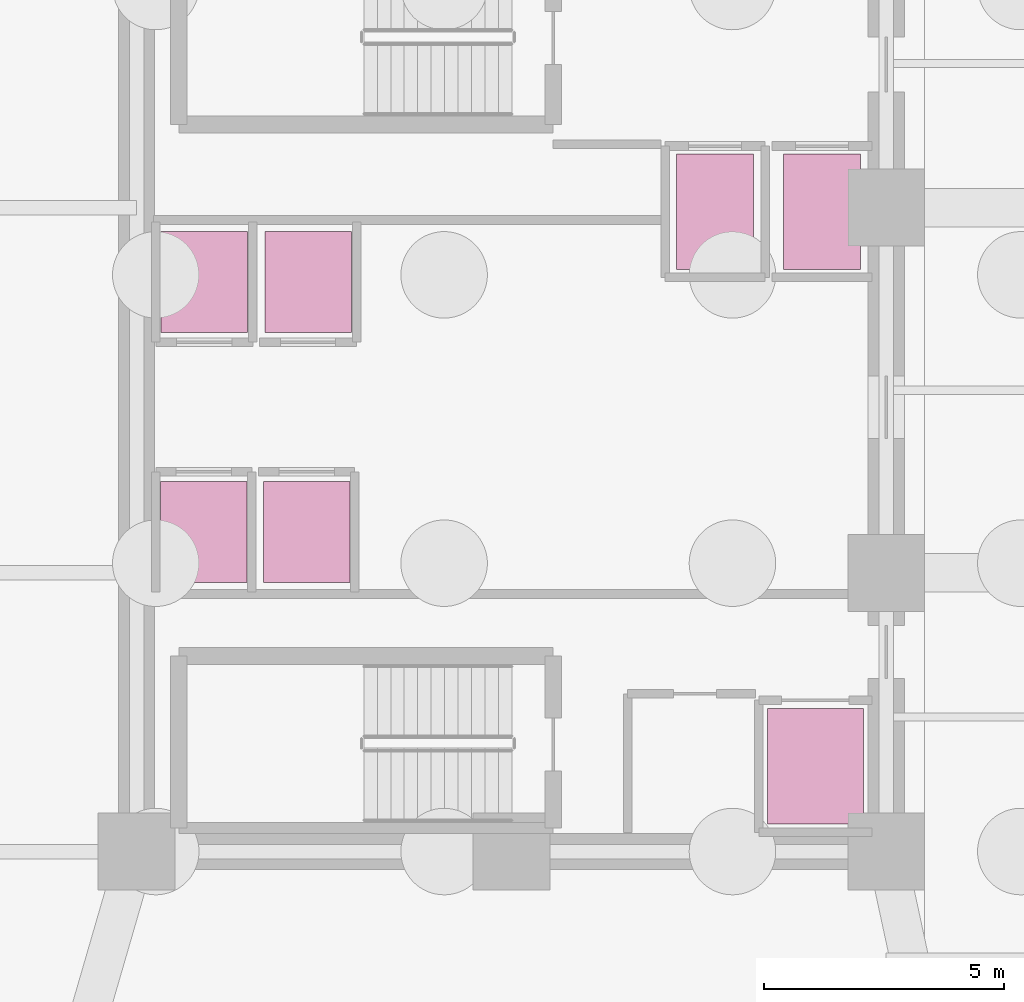
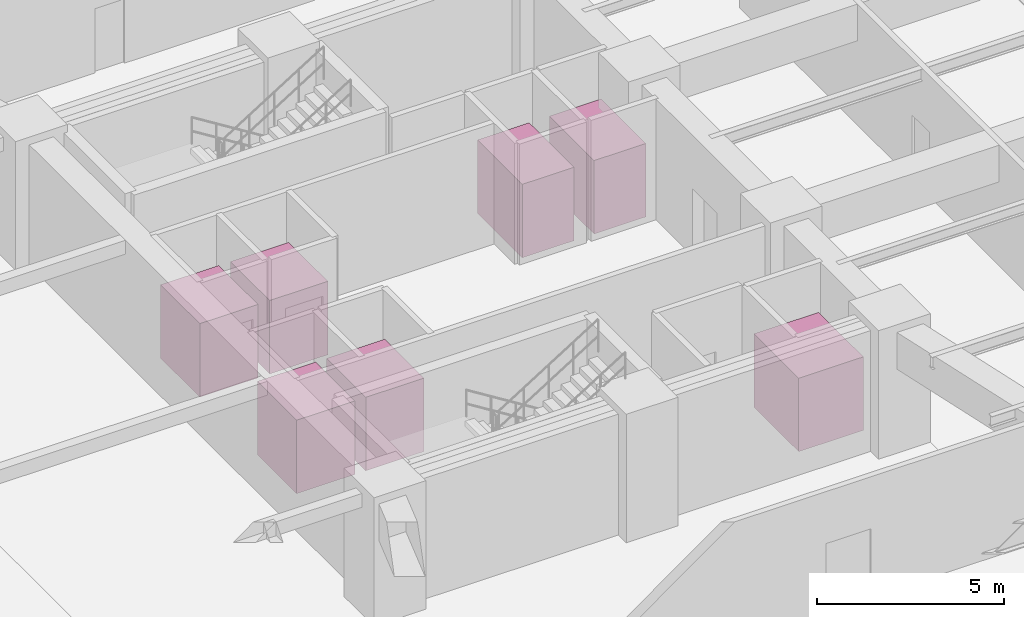
# One storey, part 8 of 8: 7 transport elements.
"""IFC4 building model written with IfcOpenShell, lengths in metres."""

import ifcopenshell
import ifcopenshell.guid

model = None  # the IFC model being written
_history = None  # IfcOwnerHistory: only IFC2X3 demands one
_inside = {}  # id of a spatial element -> (the spatial element, [elements in it])
_under = {}  # id of a project, library or spatial element -> (it, [spatial elements below it])
_declared = {}  # id of a project -> (the project, [libraries it declares])
_typed = {}  # id of a type object -> (the type object, [elements of that type])
_made_of = {}  # id of a material, layer set ... -> (it, [elements and type objects made of it])


def new_model(schema):
    """Start an empty IFC model of exactly this schema.

    Asked for "IFC4X3", IfcOpenShell would pick the latest addendum, in which some entities
    have other attributes; the version numbers below select the first issue.
    IFC2X3 requires an IfcOwnerHistory on every rooted entity: one is made here for all.
    """
    global model, _history
    if schema == "IFC4X3":
        model = ifcopenshell.file(schema_version=(4, 3, 0, 0))
    else:
        model = ifcopenshell.file(schema=schema)
    _inside.clear()
    _under.clear()
    _declared.clear()
    _typed.clear()
    _made_of.clear()
    _history = None
    if model.schema == "IFC2X3":
        org = make("IfcOrganization", Name="unknown")
        user = make(
            "IfcPersonAndOrganization",
            ThePerson=make("IfcPerson", FamilyName="unknown"),
            TheOrganization=org,
        )
        app = make(
            "IfcApplication",
            ApplicationDeveloper=org,
            Version="unknown",
            ApplicationFullName="unknown",
            ApplicationIdentifier="unknown",
        )
        _history = make(
            "IfcOwnerHistory",
            OwningUser=user,
            OwningApplication=app,
            ChangeAction="ADDED",
            CreationDate=0,
        )
    return model


def make(cls, **values):
    """One entity of the class cls with the attributes given. An attribute that is None is left unset."""
    return model.create_entity(
        cls, **{name: value for name, value in values.items() if value is not None}
    )


def rooted(cls, **values):
    """An entity with a GlobalId (a new one), such as an element, a storey or a relation."""
    return make(cls, GlobalId=ifcopenshell.guid.new(), OwnerHistory=_history, **values)


def si_unit(unit_type, name, prefix=None):
    """IfcSIUnit, for example si_unit("LENGTHUNIT", "METRE", prefix="MILLI")."""
    return make("IfcSIUnit", UnitType=unit_type, Prefix=prefix, Name=name)


def assignment(units):
    """IfcUnitAssignment: the units of a project."""
    return None if units is None else make("IfcUnitAssignment", Units=units)


def point(xyz):
    """IfcCartesianPoint."""
    return None if xyz is None else make("IfcCartesianPoint", Coordinates=xyz)


def direction(xyz):
    """IfcDirection."""
    return None if xyz is None else make("IfcDirection", DirectionRatios=xyz)


def frame(location, z_axis=None, x_axis=None):
    """IfcAxis2Placement3D, a coordinate frame: its origin and axes. An axis left out is left unset."""
    return make(
        "IfcAxis2Placement3D",
        Location=point(location),
        Axis=direction(z_axis),
        RefDirection=direction(x_axis),
    )


def frame_2d(location, x_axis=None):
    """IfcAxis2Placement2D, a coordinate frame in the plane: its origin and x axis."""
    return make(
        "IfcAxis2Placement2D", Location=point(location), RefDirection=direction(x_axis)
    )


def origin():
    """The frame at (0, 0, 0) with its axes left unset."""
    return frame((0.0, 0.0, 0.0))


def origin_2d():
    """The frame at (0, 0) in the plane with its x axis left unset."""
    return frame_2d((0.0, 0.0))


def place(relative_to, where):
    """IfcLocalPlacement: puts the frame where relative to a parent placement (None: the world)."""
    return make(
        "IfcLocalPlacement", PlacementRelTo=relative_to, RelativePlacement=where
    )


def context(
    kind, dimensions, precision=None, world=None, true_north=None, identifier=None
):
    """IfcGeometricRepresentationContext, for example the 3D "Model" context."""
    return make(
        "IfcGeometricRepresentationContext",
        ContextIdentifier=identifier,
        ContextType=kind,
        CoordinateSpaceDimension=dimensions,
        Precision=precision,
        WorldCoordinateSystem=world,
        TrueNorth=true_north,
    )


def subcontext(parent, identifier, kind, view, scale=None):
    """IfcGeometricRepresentationSubContext, for example "Body" below "Model"."""
    return make(
        "IfcGeometricRepresentationSubContext",
        ContextIdentifier=identifier,
        ContextType=kind,
        ParentContext=parent,
        TargetScale=scale,
        TargetView=view,
    )


def project(units=None, contexts=None):
    """IfcProject with its units and contexts."""
    return rooted(
        "IfcProject",
        Name="project",
        RepresentationContexts=contexts,
        UnitsInContext=assignment(units),
    )


def spatial(cls, under=None, at=None, **own):
    """A site, building, storey or space (cls), placed at a placement, below another one or the project."""
    s = rooted(cls, ObjectPlacement=at, **own)
    if under is not None:
        _under.setdefault(under.id(), (under, []))[1].append(s)
    return s


def profile(cls, at=None, kind="AREA", **sizes):
    """A parametric profile (cls). Its sizes go by their IFC names, for example OverallWidth=200.0."""
    return make(cls, ProfileType=kind, Position=at, **sizes)


def rectangle(**sizes):
    """IfcRectangleProfileDef."""
    return profile("IfcRectangleProfileDef", **sizes)


def extrude(swept, where, along, depth):
    """IfcExtrudedAreaSolid: the profile swept, set in the frame where, extruded along a direction by depth."""
    return make(
        "IfcExtrudedAreaSolid",
        SweptArea=swept,
        Position=where,
        ExtrudedDirection=direction(along),
        Depth=depth,
    )


def shape(context_of_items, identifier, shape_type, items):
    """IfcShapeRepresentation: the items that make up one representation, for example the "Body"."""
    return make(
        "IfcShapeRepresentation",
        ContextOfItems=context_of_items,
        RepresentationIdentifier=identifier,
        RepresentationType=shape_type,
        Items=items,
    )


def material(Name=None, Category=None):
    """IfcMaterial."""
    return make("IfcMaterial", Name=Name, Category=Category)


def made_of(thing, what):
    """Note that an element or type object is made of a material, layer set ...; save() writes the relation."""
    if what is not None:
        _made_of.setdefault(what.id(), (what, []))[1].append(thing)
    return thing


def type_object(cls, material=None, **own):
    """A type object (cls), such as IfcWallType, which elements share."""
    return made_of(rooted(cls, **own), material)


def element(
    cls,
    number,
    at=None,
    inside=None,
    cuts=None,
    type_object=None,
    material=None,
    context=None,
    identifier="Body",
    shape_type=None,
    held_by="IfcProductDefinitionShape",
    body=None,
    shapes=None,
    **own,
):
    """One element of the class cls, such as IfcWall. Its Tag is "e" and its number.

    at: its placement. inside: the storey or other place that contains it. cuts: it is an
    opening in that element (IfcRelVoidsElement). A single representation is given by context,
    identifier, shape_type and body (its items); several are given by shapes. held_by: the class
    of the entity that holds the representations. save() writes the other relations.
    """
    e = rooted(cls, Tag="e%d" % number, ObjectPlacement=at, **own)
    if body is not None:
        shapes = [shape(context, identifier, shape_type, body)]
    if shapes is not None:
        e.Representation = make(held_by, Representations=shapes)
    if inside is not None:
        _inside.setdefault(inside.id(), (inside, []))[1].append(e)
    if cuts is not None:
        rooted(
            "IfcRelVoidsElement", RelatingBuildingElement=cuts, RelatedOpeningElement=e
        )
    if type_object is not None:
        _typed.setdefault(type_object.id(), (type_object, []))[1].append(e)
    return made_of(e, material)


def aggregate(whole, parts):
    """IfcRelAggregates: a whole, such as a stair, and the parts it consists of."""
    return rooted("IfcRelAggregates", RelatingObject=whole, RelatedObjects=parts)


def save(model, path):
    """Write the relations noted so far, then the file.

    IfcRelAggregates (storeys below a building ...), IfcRelContainedInSpatialStructure (elements
    in a storey), IfcRelDefinesByType, IfcRelAssociatesMaterial and IfcRelDeclares: one each for
    every whole, place, type object, material and project.
    """
    for whole, parts in _under.values():
        aggregate(whole, parts)
    for where, things in _inside.values():
        rooted(
            "IfcRelContainedInSpatialStructure",
            RelatedElements=things,
            RelatingStructure=where,
        )
    for kind, things in _typed.values():
        rooted("IfcRelDefinesByType", RelatedObjects=things, RelatingType=kind)
    for what, things in _made_of.values():
        rooted("IfcRelAssociatesMaterial", RelatedObjects=things, RelatingMaterial=what)
    for by, libraries in _declared.values():
        rooted("IfcRelDeclares", RelatingContext=by, RelatedDefinitions=libraries)
    model.write(path)


model = new_model("IFC4")

# Units and contexts
model_context = context("Model", 3, precision=1e-05, world=origin(), true_north=direction((0.0, 1.0)))
body_context = subcontext(model_context, "Body", "Model", "MODEL_VIEW")
ifc_project = project(units=[si_unit("LENGTHUNIT", "METRE"), si_unit("AREAUNIT", "SQUARE_METRE"), si_unit("VOLUMEUNIT", "CUBIC_METRE"), si_unit("PLANEANGLEUNIT", "RADIAN"), si_unit("MASSUNIT", "GRAM", prefix="KILO")], contexts=[model_context])

# Site, building, storey
site_placement = place(None, origin())
site = spatial("IfcSite", under=ifc_project, at=site_placement, CompositionType="ELEMENT")
building_placement = place(site_placement, origin())
building = spatial("IfcBuilding", under=site, at=building_placement, Name="An Khanh Terracotta Commons", CompositionType="ELEMENT")
storey_placement = place(building_placement, frame((0.0, 0.0, -8.39990234375)))
storey = spatial("IfcBuildingStorey", under=building, at=storey_placement, Name="B02", CompositionType="ELEMENT", Elevation=-8.39990234375)

# Transport elements
ifc_material_1 = material(Name="Brushed Stainless Steel Fire Lift Car", Category="steel")
transport_element_type_1 = type_object("IfcTransportElementType", Name="LIFT-FFL-1600x2400", PredefinedType="ELEVATOR", material=ifc_material_1)
for number, where, z_axis, x_axis, name in (
    (1, (33.639892578125, 27.715087890625, 0.0), (0.0, 0.0, 1.0), (1.0, 0.0, 0.0), "Lift FFL-01 Elevator Car"),
    (2, (35.860107421875, 27.715087890625, 0.0), (0.0, 0.0, 1.0), (1.0, 0.0, 0.0), "Lift FFL-02 Elevator Car"),
):
    element("IfcTransportElement", number, at=place(storey_placement, frame(where, z_axis=z_axis, x_axis=x_axis)), inside=storey, type_object=transport_element_type_1, Name=name, PredefinedType="ELEVATOR", context=body_context, shape_type="SweptSolid", body=[
        extrude(rectangle(XDim=1.60009765625, YDim=2.39990234375, at=origin_2d()), origin(), (0.0, 0.0, 1.0), 2.39990234375),
    ])
ifc_material_2 = material(Name="Brushed Stainless Steel and Warm Timber Car", Category="steel")
transport_element_type_2 = type_object("IfcTransportElementType", Name="LIFT-PAX-1800x2100", PredefinedType="ELEVATOR", material=ifc_material_2)
for number, where, z_axis, x_axis, name in (
    (3, (23.010009765625, 26.25, 0.0), (0.0, 0.0, 1.0), (1.0, 0.0, 0.0), "Lift PL-L1 Elevator Car"),
    (4, (25.169921875, 26.25, 0.0), (0.0, 0.0, 1.0), (1.0, 0.0, 0.0), "Lift PL-L2 Elevator Car"),
    (5, (23.0, 21.050048828125, 0.0), (0.0, 0.0, 1.0), (1.0, 0.0, 0.0), "Lift PL-L3 Elevator Car"),
    (6, (25.139892578125, 21.050048828125, 0.0), (0.0, 0.0, 1.0), (1.0, 0.0, 0.0), "Lift PL-L4 Elevator Car"),
):
    element("IfcTransportElement", number, at=place(storey_placement, frame(where, z_axis=z_axis, x_axis=x_axis)), inside=storey, type_object=transport_element_type_2, Name=name, PredefinedType="ELEVATOR", context=body_context, shape_type="SweptSolid", body=[
        extrude(rectangle(XDim=1.800048828125, YDim=2.10009765625, at=origin_2d()), origin(), (0.0, 0.0, 1.0), 2.39990234375),
    ])
ifc_material_3 = material(Name="Heavy-Duty Checkered Stainless Steel Car", Category="steel")
transport_element_type_3 = type_object("IfcTransportElementType", Name="LIFT-SVL-2000x2400", PredefinedType="ELEVATOR", material=ifc_material_3)
transport_element_placement = place(storey_placement, frame((35.72509765625, 16.175048828125, 0.0), z_axis=(0.0, 0.0, 1.0), x_axis=(1.0, 0.0, 0.0)))
element("IfcTransportElement", 7, at=transport_element_placement, inside=storey, type_object=transport_element_type_3, Name="Lift SVL-01 Elevator Car", PredefinedType="ELEVATOR", context=body_context, shape_type="SweptSolid", body=[
    extrude(rectangle(XDim=2.0, YDim=2.39990234375, at=origin_2d()), origin(), (0.0, 0.0, 1.0), 2.39990234375),
])

save(model, "model.ifc")
